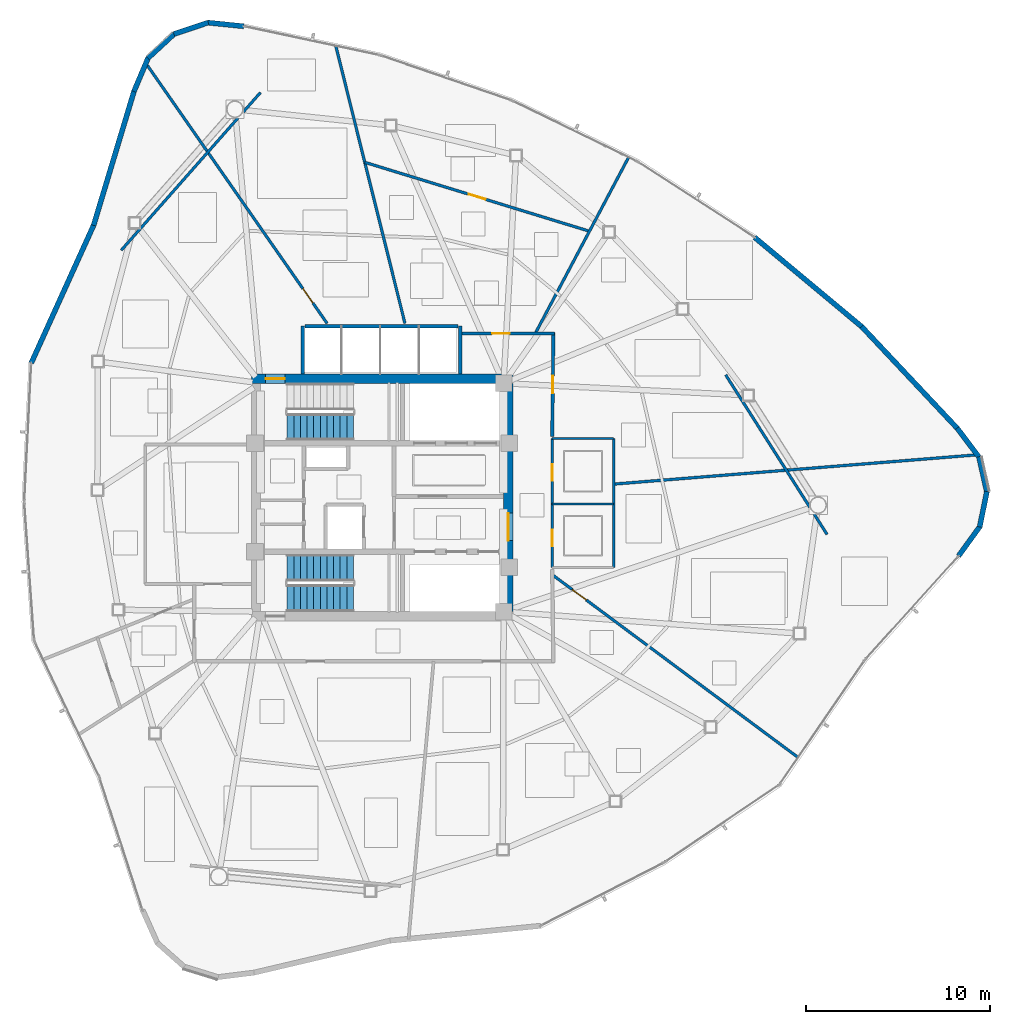
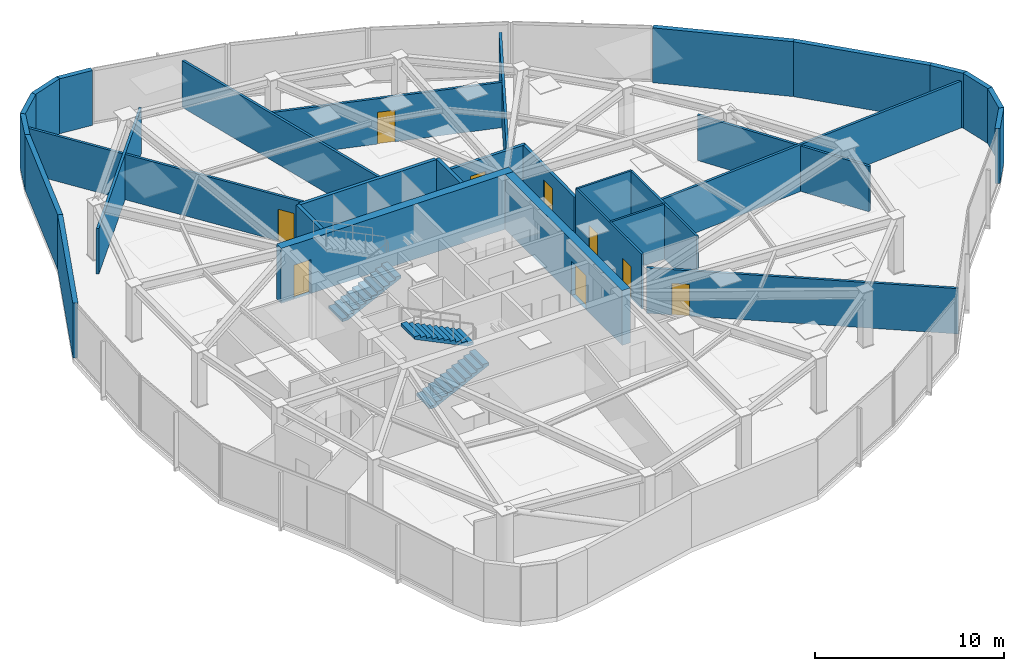
# One storey, part 12 of 17: 31 walls, 9 doors, 3 stair flights, 9 openings, 2 elements without a shape of their own.
"""IFC4 building model written with IfcOpenShell, lengths in metres."""

from ifc_helpers import new_model, si_unit, direction, frame, frame_2d, origin, place, context, subcontext, project, spatial, polyline, rectangle, outline, extrude, material, layer, layer_set, type_object, element, fill, aggregate, save


model = new_model("IFC4")

# Units and contexts
model_context = context("Model", 3, precision=1e-05, world=origin(), true_north=direction((0.0, 1.0)))
body_context = subcontext(model_context, "Body", "Model", "MODEL_VIEW")
ifc_project = project(units=[si_unit("LENGTHUNIT", "METRE"), si_unit("AREAUNIT", "SQUARE_METRE"), si_unit("VOLUMEUNIT", "CUBIC_METRE"), si_unit("PLANEANGLEUNIT", "RADIAN"), si_unit("MASSUNIT", "GRAM", prefix="KILO")], contexts=[model_context])

# Site, building, storey
site_placement = place(None, origin())
site = spatial("IfcSite", under=ifc_project, at=site_placement, CompositionType="ELEMENT")
building_placement = place(site_placement, origin())
building = spatial("IfcBuilding", under=site, at=building_placement, Name="Tavelor Broadcast Tower", CompositionType="ELEMENT")
storey_placement = place(building_placement, frame((0.0, 0.0, 161.800048828125)))
storey = spatial("IfcBuildingStorey", under=building, at=storey_placement, Name="L38", CompositionType="ELEMENT", Elevation=161.800048828125)

# Wall, opening, door
ifc_material_1 = material(Name="Concrete C50/60", Category="concrete")
ifc_layer_1 = layer(ifc_material_1, 0.5)
ifc_layer_set_1 = layer_set([ifc_layer_1], Name="Concrete C50/60")
wall_type_1 = type_object("IfcWallType", Name="Core Shear Wall 500 mm", PredefinedType="SHEAR", material=ifc_layer_set_1)
wall_1_placement = place(storey_placement, frame((42.89990234375, 51.449951171875, 0.0), z_axis=(0.0, 0.0, 1.0), x_axis=(1.0, 0.0, 0.0)))
wall_1 = element("IfcWall", 1, at=wall_1_placement, inside=storey, type_object=wall_type_1, Name="L38 Central Core Shear Wall N", PredefinedType="SHEAR", context=body_context, shape_type="SweptSolid", body=[
    extrude(rectangle(XDim=14.2001953125, YDim=0.5, at=frame_2d((7.10009765625, 0.0))), origin(), (0.0, 0.0, 1.0), 3.550048828125),
])
opening_1_placement = place(wall_1_placement, frame((0.780029296875, 0.0, 0.0)))
opening_1 = element("IfcOpeningElement", 2, at=opening_1_placement, cuts=wall_1, Name="Opening DR11", PredefinedType="OPENING", context=body_context, shape_type="SweptSolid", body=[
    extrude(rectangle(XDim=1.050048828125, YDim=2.199951171875, at=frame_2d((0.52490234375, 1.10009765625))), frame((0.0, 0.260009765625, 0.0), z_axis=(0.0, -1.0, 0.0), x_axis=(1.0, 0.0, 0.0)), (0.0, 0.0, 1.0), 0.52001953125),
])
ifc_material_2 = material(Name="Steel S355", Category="steel")
door_type_1 = type_object("IfcDoorType", Name="Stair Core Fire Escape Door 1050x2200", OperationType="NOTDEFINED", PredefinedType="DOOR", material=ifc_material_2)
door_1_placement = place(opening_1_placement, origin())
door_1 = element("IfcDoor", 3, at=door_1_placement, inside=storey, type_object=door_type_1, Name="L38 Stair ST1 Protected Exit Door", OperationType="SINGLE_SWING_LEFT", OverallHeight=2.199951171875, OverallWidth=1.050048828125, PredefinedType="DOOR", context=body_context, shape_type="SweptSolid", body=[
    extrude(rectangle(XDim=1.050048828125, YDim=2.199951171875, at=frame_2d((0.52490234375, 1.10009765625))), frame((0.0, 0.02490234375, 0.0), z_axis=(0.0, -1.0, 0.0), x_axis=(1.0, 0.0, 0.0)), (0.0, 0.0, 1.0), 0.050048828125),
])
fill(opening_1, door_1)

wall_2_placement = place(storey_placement, frame((56.85009765625, 38.800048828125, 0.0), z_axis=(0.0, 0.0, 1.0), x_axis=(0.0, 1.0, 0.0)))
wall_2 = element("IfcWall", 4, at=wall_2_placement, inside=storey, type_object=wall_type_1, Name="L38 Central Core Shear Wall E", PredefinedType="SHEAR", context=body_context, shape_type="SweptSolid", body=[
    extrude(rectangle(XDim=12.39990234375, YDim=0.5, at=frame_2d((6.199951171875, 0.0))), origin(), (0.0, 0.0, 1.0), 3.550048828125),
])
opening_2_placement = place(wall_2_placement, frame((3.85009765625, 0.0, 0.0)))
opening_2 = element("IfcOpeningElement", 5, at=opening_2_placement, cuts=wall_2, Name="Opening DR14", PredefinedType="OPENING", context=body_context, shape_type="SweptSolid", body=[
    extrude(rectangle(XDim=1.5, YDim=2.199951171875, at=frame_2d((0.75, 1.10009765625))), frame((0.0, 0.260009765625, 0.0), z_axis=(0.0, -1.0, 0.0), x_axis=(1.0, 0.0, 0.0)), (0.0, 0.0, 1.0), 0.52001953125),
])
door_type_2 = type_object("IfcDoorType", Name="Firefighting Lobby Double Fire Door 1500x2200", OperationType="NOTDEFINED", PredefinedType="DOOR", material=ifc_material_2)
door_2_placement = place(opening_2_placement, origin())
door_2 = element("IfcDoor", 6, at=door_2_placement, inside=storey, type_object=door_type_2, Name="L38 Central Core Lobby Fire Door", OperationType="SINGLE_SWING_LEFT", OverallHeight=2.199951171875, OverallWidth=1.5, PredefinedType="DOOR", context=body_context, shape_type="SweptSolid", body=[
    extrude(rectangle(XDim=1.5, YDim=2.199951171875, at=frame_2d((0.75, 1.10009765625))), frame((0.0, 0.02490234375, 0.0), z_axis=(0.0, -1.0, 0.0), x_axis=(1.0, 0.0, 0.0)), (0.0, 0.0, 1.0), 0.050048828125),
])
fill(opening_2, door_2)

ifc_material_3 = material(Name="Calcium Silicate Fire Board 180 mm", Category="gypsum")
ifc_layer_2 = layer(ifc_material_3, 0.179931640625)
ifc_layer_set_2 = layer_set([ifc_layer_2], Name="Calcium Silicate Fire Board 180 mm")
wall_type_2 = type_object("IfcWallType", Name="Fire-Rated Corridor Partition Wall 180 mm", PredefinedType="PARTITIONING", material=ifc_layer_set_2)
wall_3_placement = place(storey_placement, frame((54.300048828125, 53.89990234375, 0.0), z_axis=(0.0, 0.0, 1.0), x_axis=(1.0, 0.0, 0.0)))
wall_3 = element("IfcWall", 7, at=wall_3_placement, inside=storey, type_object=wall_type_2, Name="L38 Corridor Compartment Wall 01", PredefinedType="PARTITIONING", context=body_context, shape_type="SweptSolid", body=[
    extrude(rectangle(XDim=5.050048828125, YDim=0.179931640625, at=frame_2d((2.52490234375, 0.0))), origin(), (0.0, 0.0, 1.0), 2.93505859375),
])
opening_3_placement = place(wall_3_placement, frame((1.67431640625, 0.0, 0.0)))
opening_3 = element("IfcOpeningElement", 8, at=opening_3_placement, cuts=wall_3, Name="Opening DR18", PredefinedType="OPENING", context=body_context, shape_type="SweptSolid", body=[
    extrude(rectangle(XDim=0.949951171875, YDim=2.050048828125, at=frame_2d((0.47509765625, 1.02490234375))), frame((0.0, 0.10009765625, 0.0), z_axis=(0.0, -1.0, 0.0), x_axis=(1.0, 0.0, 0.0)), (0.0, 0.0, 1.0), 0.199951171875),
])
ifc_material_4 = material(Name="Timber Solid Core Hardwood", Category="wood")
door_type_3 = type_object("IfcDoorType", Name="Corridor Rated Compartment Door 950x2050", OperationType="NOTDEFINED", PredefinedType="DOOR", material=ifc_material_4)
door_3_placement = place(opening_3_placement, origin())
door_3 = element("IfcDoor", 9, at=door_3_placement, inside=storey, type_object=door_type_3, Name="L38 Press Interview Room Door R7", OperationType="SINGLE_SWING_LEFT", OverallHeight=2.050048828125, OverallWidth=0.949951171875, PredefinedType="DOOR", context=body_context, shape_type="SweptSolid", body=[
    extrude(rectangle(XDim=0.949951171875, YDim=2.050048828125, at=frame_2d((0.47509765625, 1.02490234375))), frame((0.0, 0.02490234375, 0.0), z_axis=(0.0, -1.0, 0.0), x_axis=(1.0, 0.0, 0.0)), (0.0, 0.0, 1.0), 0.050048828125),
])
fill(opening_3, door_3)

wall_4_placement = place(storey_placement, frame((59.300537109375, 53.949951171875, 0.0), z_axis=(0.0, 0.0, 1.0), x_axis=(-0.010629422803, -0.99994350609, 0.0)))
wall_4 = element("IfcWall", 10, at=wall_4_placement, inside=storey, type_object=wall_type_2, Name="L38 Corridor Compartment Wall 02", PredefinedType="PARTITIONING", context=body_context, shape_type="SweptSolid", body=[
    extrude(rectangle(XDim=5.650146484375, YDim=0.179931640625, at=frame_2d((2.8251953125, 0.0))), origin(), (0.0, 0.0, 1.0), 2.93505859375),
])
opening_4_placement = place(wall_4_placement, frame((2.35009765625, 0.0, 0.0)))
opening_4 = element("IfcOpeningElement", 11, at=opening_4_placement, cuts=wall_4, Name="Opening DR18", PredefinedType="OPENING", context=body_context, shape_type="SweptSolid", body=[
    extrude(rectangle(XDim=0.949951171875, YDim=2.050048828125, at=frame_2d((0.47509765625, 1.02490234375))), frame((0.0, 0.10009765625, 0.0), z_axis=(0.0, -1.0, 0.0), x_axis=(1.0, 0.0, 0.0)), (0.0, 0.0, 1.0), 0.199951171875),
])
door_4_placement = place(opening_4_placement, origin())
door_4 = element("IfcDoor", 12, at=door_4_placement, inside=storey, type_object=door_type_3, Name="L38 Broadcast Concierge Desk Door R5", OperationType="SINGLE_SWING_RIGHT", OverallHeight=2.050048828125, OverallWidth=0.949951171875, PredefinedType="DOOR", context=body_context, shape_type="SweptSolid", body=[
    extrude(rectangle(XDim=0.949951171875, YDim=2.050048828125, at=frame_2d((0.47509765625, 1.02490234375))), frame((0.0, 0.02490234375, 0.0), z_axis=(0.0, -1.0, 0.0), x_axis=(1.0, 0.0, 0.0)), (0.0, 0.0, 1.0), 0.050048828125),
])
fill(opening_4, door_4)

# Walls
ifc_material_5 = material(Name="Precast Concrete C40/50", Category="concrete")
ifc_layer_3 = layer(ifc_material_5, 0.280029296875)
ifc_layer_set_3 = layer_set([ifc_layer_3], Name="Precast Concrete C40/50")
wall_type_3 = type_object("IfcWallType", Name="Insulated Precast Terracotta Facade Wall 280 mm", PredefinedType="STANDARD", material=ifc_layer_set_3)
wall_5_placement = place(storey_placement, frame((42.4990234375, 70.58154296875, 0.0), z_axis=(0.0, 0.0, 1.0), x_axis=(-0.994786905794, 0.101975546382, 0.0)))
element("IfcWall", 13, at=wall_5_placement, inside=storey, type_object=wall_type_3, Name="L38 Rounded Corner Structural Cladding Pier 01", PredefinedType="STANDARD", context=body_context, shape_type="SweptSolid", body=[
    extrude(rectangle(XDim=1.97509765625, YDim=0.280029296875, at=frame_2d((0.987548828125, 0.0))), origin(), (0.0, 0.0, 1.0), 3.550048828125),
])
wall_6_placement = place(storey_placement, frame((40.563232421875, 70.7861328125, 0.0), z_axis=(0.0, 0.0, 1.0), x_axis=(-0.948571334837, -0.316563457661, 0.0)))
element("IfcWall", 14, at=wall_6_placement, inside=storey, type_object=wall_type_3, Name="L38 Rounded Corner Structural Cladding Pier 02", PredefinedType="STANDARD", context=body_context, shape_type="SweptSolid", body=[
    extrude(rectangle(XDim=1.963623046875, YDim=0.280029296875, at=frame_2d((0.98193359375, 0.0))), origin(), (0.0, 0.0, 1.0), 3.550048828125),
])
wall_7_placement = place(storey_placement, frame((38.725830078125, 70.179443359375, 0.0), z_axis=(0.0, 0.0, 1.0), x_axis=(-0.734350414117, -0.678770557174, 0.0)))
element("IfcWall", 15, at=wall_7_placement, inside=storey, type_object=wall_type_3, Name="L38 Rounded Corner Structural Cladding Pier 03", PredefinedType="STANDARD", context=body_context, shape_type="SweptSolid", body=[
    extrude(rectangle(XDim=1.96337890625, YDim=0.280029296875, at=frame_2d((0.981689453125, 0.0))), origin(), (0.0, 0.0, 1.0), 3.550048828125),
])
wall_8_placement = place(storey_placement, frame((37.30078125, 68.87060546875, 0.0), z_axis=(0.0, 0.0, 1.0), x_axis=(-0.389924694158, -0.920846747774, 0.0)))
element("IfcWall", 16, at=wall_8_placement, inside=storey, type_object=wall_type_3, Name="L38 Rounded Corner Structural Cladding Pier 04", PredefinedType="STANDARD", context=body_context, shape_type="SweptSolid", body=[
    extrude(rectangle(XDim=1.986083984375, YDim=0.280029296875, at=frame_2d((0.9931640625, 0.0))), origin(), (0.0, 0.0, 1.0), 3.550048828125),
])
wall_9_placement = place(storey_placement, frame((36.53662109375, 67.06982421875, 0.0), z_axis=(0.0, 0.0, 1.0), x_axis=(-0.288646706332, -0.95743567874, 0.0)))
element("IfcWall", 17, at=wall_9_placement, inside=storey, type_object=wall_type_3, Name="L38 Rounded Corner Structural Cladding Pier 05", PredefinedType="STANDARD", context=body_context, shape_type="SweptSolid", body=[
    extrude(rectangle(XDim=7.620849609375, YDim=0.280029296875, at=frame_2d((3.810546875, 0.0))), origin(), (0.0, 0.0, 1.0), 3.550048828125),
])
wall_10_placement = place(storey_placement, frame((34.347412109375, 59.801513671875, 0.0), z_axis=(0.0, 0.0, 1.0), x_axis=(-0.412381746659, -0.911011138802, 0.0)))
element("IfcWall", 18, at=wall_10_placement, inside=storey, type_object=wall_type_3, Name="L38 Rounded Corner Structural Cladding Pier 06", PredefinedType="STANDARD", context=body_context, shape_type="SweptSolid", body=[
    extrude(rectangle(XDim=8.234375, YDim=0.280029296875, at=frame_2d((4.1171875, 0.0))), origin(), (0.0, 0.0, 1.0), 3.550048828125),
])
wall_11_placement = place(storey_placement, frame((81.3046875, 41.822998046875, 0.0), z_axis=(0.0, 0.0, 1.0), x_axis=(0.585765811542, 0.810480360051, 0.0)))
element("IfcWall", 19, at=wall_11_placement, inside=storey, type_object=wall_type_3, Name="L38 Rounded Corner Structural Cladding Pier 21", PredefinedType="STANDARD", context=body_context, shape_type="SweptSolid", body=[
    extrude(rectangle(XDim=1.97509765625, YDim=0.280029296875, at=frame_2d((0.987548828125, 0.0))), origin(), (0.0, 0.0, 1.0), 3.550048828125),
])
wall_12_placement = place(storey_placement, frame((82.44970703125, 43.397216796875, 0.0), z_axis=(0.0, 0.0, 1.0), x_axis=(0.200322996015, 0.979729910367, 0.0)))
element("IfcWall", 20, at=wall_12_placement, inside=storey, type_object=wall_type_3, Name="L38 Rounded Corner Structural Cladding Pier 22", PredefinedType="STANDARD", context=body_context, shape_type="SweptSolid", body=[
    extrude(rectangle(XDim=1.96337890625, YDim=0.280029296875, at=frame_2d((0.981689453125, 0.0))), origin(), (0.0, 0.0, 1.0), 3.550048828125),
])
wall_13_placement = place(storey_placement, frame((82.84326171875, 45.29150390625, 0.0), z_axis=(0.0, 0.0, 1.0), x_axis=(-0.220680608885, 0.975346127722, 0.0)))
element("IfcWall", 21, at=wall_13_placement, inside=storey, type_object=wall_type_3, Name="L38 Rounded Corner Structural Cladding Pier 23", PredefinedType="STANDARD", context=body_context, shape_type="SweptSolid", body=[
    extrude(rectangle(XDim=1.963623046875, YDim=0.280029296875, at=frame_2d((0.98193359375, 0.0))), origin(), (0.0, 0.0, 1.0), 3.550048828125),
])
wall_14_placement = place(storey_placement, frame((82.422119140625, 47.18017578125, 0.0), z_axis=(0.0, 0.0, 1.0), x_axis=(-0.602455667752, 0.798152346606, 0.0)))
element("IfcWall", 22, at=wall_14_placement, inside=storey, type_object=wall_type_3, Name="L38 Rounded Corner Structural Cladding Pier 24", PredefinedType="STANDARD", context=body_context, shape_type="SweptSolid", body=[
    extrude(rectangle(XDim=1.986083984375, YDim=0.280029296875, at=frame_2d((0.9931640625, 0.0))), origin(), (0.0, 0.0, 1.0), 3.550048828125),
])
wall_15_placement = place(storey_placement, frame((81.244873046875, 48.742431640625, 0.0), z_axis=(0.0, 0.0, 1.0), x_axis=(-0.684851704524, 0.728682470497, 0.0)))
element("IfcWall", 23, at=wall_15_placement, inside=storey, type_object=wall_type_3, Name="L38 Rounded Corner Structural Cladding Pier 25", PredefinedType="STANDARD", context=body_context, shape_type="SweptSolid", body=[
    extrude(rectangle(XDim=7.603271484375, YDim=0.280029296875, at=frame_2d((3.8017578125, 0.0))), origin(), (0.0, 0.0, 1.0), 3.550048828125),
])
wall_16_placement = place(storey_placement, frame((76.0595703125, 54.26220703125, 0.0), z_axis=(0.0, 0.0, 1.0), x_axis=(-0.767999798656, 0.640450083351, 0.0)))
element("IfcWall", 24, at=wall_16_placement, inside=storey, type_object=wall_type_3, Name="L38 Rounded Corner Structural Cladding Pier 26", PredefinedType="STANDARD", context=body_context, shape_type="SweptSolid", body=[
    extrude(rectangle(XDim=7.59130859375, YDim=0.280029296875, at=frame_2d((3.795654296875, 0.0))), origin(), (0.0, 0.0, 1.0), 3.550048828125),
])
ifc_material_6 = material(Name="Gypsum Acoustic Plasterboard 150 mm", Category="gypsum")
ifc_layer_4 = layer(ifc_material_6, 0.14990234375)
ifc_layer_set_4 = layer_set([ifc_layer_4], Name="Gypsum Acoustic Plasterboard 150 mm")
wall_type_4 = type_object("IfcWallType", Name="Interior Acoustic Partition Wall 150 mm", PredefinedType="PARTITIONING", material=ifc_layer_set_4)
wall_17_placement = place(storey_placement, frame((43.399658203125, 66.988525390625, 0.0), z_axis=(0.0, 0.0, 1.0), x_axis=(-0.661622343701, -0.749837231881, 0.0)))
element("IfcWall", 25, at=wall_17_placement, inside=storey, type_object=wall_type_4, Name="L38 Corner Tube Brace Furring Wall 1", PredefinedType="PARTITIONING", context=body_context, shape_type="SweptSolid", body=[
    extrude(rectangle(XDim=11.42724609375, YDim=0.14990234375, at=frame_2d((5.713623046875, 0.0))), origin(), (0.0, 0.0, 1.0), 2.93505859375),
])
wall_18_placement = place(storey_placement, frame((74.16259765625, 42.9931640625, 0.0), z_axis=(0.0, 0.0, 1.0), x_axis=(-0.53628142437, 0.844039237166, 0.0)))
element("IfcWall", 26, at=wall_18_placement, inside=storey, type_object=wall_type_4, Name="L38 Corner Tube Brace Furring Wall 3", PredefinedType="PARTITIONING", context=body_context, shape_type="SweptSolid", body=[
    extrude(rectangle(XDim=10.266845703125, YDim=0.14990234375, at=frame_2d((5.13330078125, 0.0))), origin(), (0.0, 0.0, 1.0), 2.93505859375),
])
wall_19_placement = place(storey_placement, frame((51.243896484375, 54.449951171875, 0.0), z_axis=(0.0, 0.0, 1.0), x_axis=(-0.241921992863, 0.970295702025, 0.0)))
element("IfcWall", 27, at=wall_19_placement, inside=storey, type_object=wall_type_4, Name="L38 Radial Compartment Wall 01", PredefinedType="PARTITIONING", context=body_context, shape_type="SweptSolid", body=[
    extrude(rectangle(XDim=15.541259765625, YDim=0.14990234375, at=frame_2d((7.7705078125, 0.0))), origin(), (0.0, 0.0, 1.0), 3.02490234375),
])

# Wall, opening, door
wall_20_placement = place(storey_placement, frame((47.0166015625, 54.449951171875, 0.0), z_axis=(0.0, 0.0, 1.0), x_axis=(-0.571606219405, 0.82052807992, 0.0)))
wall_20 = element("IfcWall", 28, at=wall_20_placement, inside=storey, type_object=wall_type_4, Name="L38 Radial Compartment Wall 02", PredefinedType="PARTITIONING", context=body_context, shape_type="SweptSolid", body=[
    extrude(rectangle(XDim=17.2275390625, YDim=0.14990234375, at=frame_2d((8.61376953125, 0.0))), origin(), (0.0, 0.0, 1.0), 2.93505859375),
])
opening_5_placement = place(wall_20_placement, frame((1.35009765625, 0.0, 0.0)))
opening_5 = element("IfcOpeningElement", 29, at=opening_5_placement, cuts=wall_20, Name="Opening DR18", PredefinedType="OPENING", context=body_context, shape_type="SweptSolid", body=[
    extrude(rectangle(XDim=0.949951171875, YDim=2.050048828125, at=frame_2d((0.47509765625, 1.02490234375))), frame((0.0, 0.0849609375, 0.0), z_axis=(0.0, -1.0, 0.0), x_axis=(1.0, 0.0, 0.0)), (0.0, 0.0, 1.0), 0.169921875),
])
door_5_placement = place(opening_5_placement, origin())
door_5 = element("IfcDoor", 30, at=door_5_placement, inside=storey, type_object=door_type_3, Name="L38 Suite Connecting Door 3", OperationType="SINGLE_SWING_RIGHT", OverallHeight=2.050048828125, OverallWidth=0.949951171875, PredefinedType="DOOR", context=body_context, shape_type="SweptSolid", body=[
    extrude(rectangle(XDim=0.949951171875, YDim=2.050048828125, at=frame_2d((0.47509765625, 1.02490234375))), frame((0.0, 0.02490234375, 0.0), z_axis=(0.0, -1.0, 0.0), x_axis=(1.0, 0.0, 0.0)), (0.0, 0.0, 1.0), 0.050048828125),
])
fill(opening_5, door_5)

wall_21_placement = place(storey_placement, frame((59.244140625, 40.80419921875, 0.0), z_axis=(0.0, 0.0, 1.0), x_axis=(0.802525033697, -0.596618446152, 0.0)))
wall_21 = element("IfcWall", 31, at=wall_21_placement, inside=storey, type_object=wall_type_4, Name="L38 Radial Compartment Wall 06", PredefinedType="PARTITIONING", context=body_context, shape_type="SweptSolid", body=[
    extrude(rectangle(XDim=16.637451171875, YDim=0.14990234375, at=frame_2d((8.31884765625, 0.0))), origin(), (0.0, 0.0, 1.0), 2.93505859375),
])
opening_6_placement = place(wall_21_placement, frame((1.35009765625, 0.0, 0.0)))
opening_6 = element("IfcOpeningElement", 32, at=opening_6_placement, cuts=wall_21, Name="Opening DR18", PredefinedType="OPENING", context=body_context, shape_type="SweptSolid", body=[
    extrude(rectangle(XDim=0.949951171875, YDim=2.050048828125, at=frame_2d((0.47509765625, 1.02490234375))), frame((0.0, 0.0849609375, 0.0), z_axis=(0.0, -1.0, 0.0), x_axis=(1.0, 0.0, 0.0)), (0.0, 0.0, 1.0), 0.169921875),
])
door_6_placement = place(opening_6_placement, origin())
door_6 = element("IfcDoor", 33, at=door_6_placement, inside=storey, type_object=door_type_3, Name="L38 Suite Connecting Door 6", OperationType="SINGLE_SWING_RIGHT", OverallHeight=2.050048828125, OverallWidth=0.949951171875, PredefinedType="DOOR", context=body_context, shape_type="SweptSolid", body=[
    extrude(rectangle(XDim=0.949951171875, YDim=2.050048828125, at=frame_2d((0.47509765625, 1.02490234375))), frame((0.0, 0.02490234375, 0.0), z_axis=(0.0, -1.0, 0.0), x_axis=(1.0, 0.0, 0.0)), (0.0, 0.0, 1.0), 0.050048828125),
])
fill(opening_6, door_6)

# Walls
wall_22_placement = place(storey_placement, frame((62.64990234375, 45.7294921875, 0.0), z_axis=(0.0, 0.0, 1.0), x_axis=(0.99676638327, 0.08035407384, 0.0)))
element("IfcWall", 34, at=wall_22_placement, inside=storey, type_object=wall_type_4, Name="L38 Radial Compartment Wall 07", PredefinedType="PARTITIONING", context=body_context, shape_type="SweptSolid", body=[
    extrude(rectangle(XDim=19.74609375, YDim=0.14990234375, at=frame_2d((9.873046875, 0.0))), origin(), (0.0, 0.0, 1.0), 3.02490234375),
])
wall_23_placement = place(storey_placement, frame((58.31689453125, 53.89990234375, 0.0), z_axis=(0.0, 0.0, 1.0), x_axis=(0.468253014178, 0.883594428861, 0.0)))
element("IfcWall", 35, at=wall_23_placement, inside=storey, type_object=wall_type_4, Name="L38 Radial Compartment Wall 08", PredefinedType="PARTITIONING", context=body_context, shape_type="SweptSolid", body=[
    extrude(rectangle(XDim=10.838623046875, YDim=0.14990234375, at=frame_2d((5.41943359375, 0.0))), origin(), (0.0, 0.0, 1.0), 2.93505859375),
])

# Wall, opening, door
wall_24_placement = place(storey_placement, frame((61.260498046875, 59.45458984375, 0.0), z_axis=(0.0, 0.0, 1.0), x_axis=(-0.956033107644, 0.293258754496, 0.0)))
wall_24 = element("IfcWall", 36, at=wall_24_placement, inside=storey, type_object=wall_type_4, Name="L38 Suite Chord Partition Wall 01", PredefinedType="PARTITIONING", context=body_context, shape_type="SweptSolid", body=[
    extrude(rectangle(XDim=12.75830078125, YDim=0.14990234375, at=frame_2d((6.379150390625, 0.0))), origin(), (0.0, 0.0, 1.0), 2.93505859375),
])
opening_7_placement = place(wall_24_placement, frame((5.904296875, 0.0, 0.0)))
opening_7 = element("IfcOpeningElement", 37, at=opening_7_placement, cuts=wall_24, Name="Opening DR23", PredefinedType="OPENING", context=body_context, shape_type="SweptSolid", body=[
    extrude(rectangle(XDim=0.949951171875, YDim=2.050048828125, at=frame_2d((0.47509765625, 1.02490234375))), frame((0.0, 0.0849609375, 0.0), z_axis=(0.0, -1.0, 0.0), x_axis=(1.0, 0.0, 0.0)), (0.0, 0.0, 1.0), 0.169921875),
])
door_type_4 = type_object("IfcDoorType", Name="Editorial Room Acoustic Door 950x2050", OperationType="NOTDEFINED", PredefinedType="DOOR", material=ifc_material_4)
door_7_placement = place(opening_7_placement, origin())
door_7 = element("IfcDoor", 38, at=door_7_placement, inside=storey, type_object=door_type_4, Name="L38 Outer Suite Partition Door 1", OperationType="SINGLE_SWING_LEFT", OverallHeight=2.050048828125, OverallWidth=0.949951171875, PredefinedType="DOOR", context=body_context, shape_type="SweptSolid", body=[
    extrude(rectangle(XDim=0.949951171875, YDim=2.050048828125, at=frame_2d((0.47509765625, 1.02490234375))), frame((0.0, 0.02490234375, 0.0), z_axis=(0.0, -1.0, 0.0), x_axis=(1.0, 0.0, 0.0)), (0.0, 0.0, 1.0), 0.050048828125),
])
fill(opening_7, door_7)

# Walls
ifc_material_7 = material(Name="Concrete Blockwork 200 mm", Category="masonry")
ifc_layer_5 = layer(ifc_material_7, 0.199951171875)
ifc_layer_set_5 = layer_set([ifc_layer_5], Name="Concrete Blockwork 200 mm")
wall_type_5 = type_object("IfcWallType", Name="Lift Hoistway Rated Front Wall 200 mm", PredefinedType="PARTITIONING", material=ifc_layer_set_5)
wall_25_placement = place(storey_placement, frame((45.820068359375, 54.300048828125, 0.0), z_axis=(0.0, 0.0, 1.0), x_axis=(1.0, 0.0, 0.0)))
element("IfcWall", 39, at=wall_25_placement, inside=storey, type_object=wall_type_5, Name="L38 High-Rise Lift Hoistway Front Wall", PredefinedType="PARTITIONING", context=body_context, shape_type="SweptSolid", body=[
    extrude(rectangle(XDim=8.309814453125, YDim=0.199951171875, at=frame_2d((4.15478515625, 0.0))), origin(), (0.0, 0.0, 1.0), 3.550048828125),
])
ifc_layer_6 = layer(ifc_material_7, 0.199951171875)
ifc_layer_set_6 = layer_set([ifc_layer_6], Name="Concrete Blockwork 200 mm")
wall_type_6 = type_object("IfcWallType", Name="Lift and Riser Shaft Enclosure Wall 200 mm", PredefinedType="PARTITIONING", material=ifc_layer_set_6)
for number, where, z_axis, x_axis, name in (
    (40, (45.699951171875, 51.699951171875, 0.0), (0.0, 0.0, 1.0), (0.0, 1.0, 0.0), "L38 High-Rise Lift Shaft West Wall"),
    (41, (54.25, 51.699951171875, 0.0), (0.0, 0.0, 1.0), (0.0, 1.0, 0.0), "L38 High-Rise Lift Shaft East Wall"),
):
    element("IfcWall", number, at=place(storey_placement, frame(where, z_axis=z_axis, x_axis=x_axis)), inside=storey, type_object=wall_type_6, Name=name, PredefinedType="PARTITIONING", context=body_context, shape_type="SweptSolid", body=[
        extrude(rectangle(XDim=2.60009765625, YDim=0.199951171875, at=frame_2d((1.300048828125, 0.0))), origin(), (0.0, 0.0, 1.0), 3.550048828125),
    ])

# Wall, openings, doors
ifc_material_8 = material(Name="Moisture-Resistant Plasterboard 120 mm", Category="gypsum")
ifc_layer_7 = layer(ifc_material_8, 0.1201171875)
ifc_layer_set_7 = layer_set([ifc_layer_7], Name="Moisture-Resistant Plasterboard 120 mm")
wall_type_7 = type_object("IfcWallType", Name="Moisture-Resistant Wet-Room Partition 120 mm", PredefinedType="PARTITIONING", material=ifc_layer_set_7)
wall_26_placement = place(storey_placement, frame((59.239990234375, 41.199951171875, 0.0), z_axis=(0.0, 0.0, 1.0), x_axis=(0.0, 1.0, 0.0)))
wall_26 = element("IfcWall", 42, at=wall_26_placement, inside=storey, type_object=wall_type_7, Name="L38 Floor Washrooms West Wall", PredefinedType="PARTITIONING", context=body_context, shape_type="SweptSolid", body=[
    extrude(rectangle(XDim=7.0, YDim=0.1201171875, at=frame_2d((3.5, 0.0))), origin(), (0.0, 0.0, 1.0), 3.550048828125),
])
opening_8_placement = place(wall_26_placement, frame((1.14990234375, 0.0, 0.0)))
opening_8 = element("IfcOpeningElement", 43, at=opening_8_placement, cuts=wall_26, Name="Opening DR32", PredefinedType="OPENING", context=body_context, shape_type="SweptSolid", body=[
    extrude(rectangle(XDim=0.89990234375, YDim=2.050048828125, at=frame_2d((0.449951171875, 1.02490234375))), frame((0.0, 0.070068359375, 0.0), z_axis=(0.0, -1.0, 0.0), x_axis=(1.0, 0.0, 0.0)), (0.0, 0.0, 1.0), 0.14013671875),
])
opening_9_placement = place(wall_26_placement, frame((4.699951171875, 0.0, 0.0)))
opening_9 = element("IfcOpeningElement", 44, at=opening_9_placement, cuts=wall_26, Name="Opening DR32", PredefinedType="OPENING", context=body_context, shape_type="SweptSolid", body=[
    extrude(rectangle(XDim=0.89990234375, YDim=2.050048828125, at=frame_2d((0.449951171875, 1.02490234375))), frame((0.0, 0.070068359375, 0.0), z_axis=(0.0, -1.0, 0.0), x_axis=(1.0, 0.0, 0.0)), (0.0, 0.0, 1.0), 0.14013671875),
])
door_type_5 = type_object("IfcDoorType", Name="Accessible Washroom Door 900x2050", OperationType="NOTDEFINED", PredefinedType="DOOR", material=ifc_material_4)
door_8_placement = place(opening_8_placement, origin())
door_8 = element("IfcDoor", 45, at=door_8_placement, inside=storey, type_object=door_type_5, Name="L38 Accessible WC Door", OperationType="SINGLE_SWING_LEFT", OverallHeight=2.050048828125, OverallWidth=0.89990234375, PredefinedType="DOOR", context=body_context, shape_type="SweptSolid", body=[
    extrude(rectangle(XDim=0.89990234375, YDim=2.050048828125, at=frame_2d((0.449951171875, 1.02490234375))), frame((0.0, 0.02490234375, 0.0), z_axis=(0.0, -1.0, 0.0), x_axis=(1.0, 0.0, 0.0)), (0.0, 0.0, 1.0), 0.050048828125),
])
fill(opening_8, door_8)
door_9_placement = place(opening_9_placement, origin())
door_9 = element("IfcDoor", 46, at=door_9_placement, inside=storey, type_object=door_type_5, Name="L38 Staff Washroom WC Door", OperationType="SINGLE_SWING_RIGHT", OverallHeight=2.050048828125, OverallWidth=0.89990234375, PredefinedType="DOOR", context=body_context, shape_type="SweptSolid", body=[
    extrude(rectangle(XDim=0.89990234375, YDim=2.050048828125, at=frame_2d((0.449951171875, 1.02490234375))), frame((0.0, 0.02490234375, 0.0), z_axis=(0.0, -1.0, 0.0), x_axis=(1.0, 0.0, 0.0)), (0.0, 0.0, 1.0), 0.050048828125),
])
fill(opening_9, door_9)

# Walls
for number, where, z_axis, x_axis, name in (
    (47, (59.239990234375, 44.64990234375, 0.0), (0.0, 0.0, 1.0), (1.0, 0.0, 0.0), "L38 Floor Washrooms Divider Wall"),
    (48, (59.239990234375, 48.199951171875, 0.0), (0.0, 0.0, 1.0), (1.0, 0.0, 0.0), "L38 Floor Washrooms North Wall"),
):
    element("IfcWall", number, at=place(storey_placement, frame(where, z_axis=z_axis, x_axis=x_axis)), inside=storey, type_object=wall_type_7, Name=name, PredefinedType="PARTITIONING", context=body_context, shape_type="SweptSolid", body=[
        extrude(rectangle(XDim=3.340087890625, YDim=0.1201171875, at=frame_2d((1.669921875, 0.0))), origin(), (0.0, 0.0, 1.0), 3.550048828125),
    ])
wall_27_placement = place(storey_placement, frame((62.580078125, 41.199951171875, 0.0), z_axis=(0.0, 0.0, 1.0), x_axis=(0.0, 1.0, 0.0)))
element("IfcWall", 49, at=wall_27_placement, inside=storey, type_object=wall_type_7, Name="L38 Floor Washrooms East Wall", PredefinedType="PARTITIONING", context=body_context, shape_type="SweptSolid", body=[
    extrude(rectangle(XDim=7.0, YDim=0.1201171875, at=frame_2d((3.5, 0.0))), origin(), (0.0, 0.0, 1.0), 3.550048828125),
])

# Stair, stair flight
ifc_material_9 = material(Name="Concrete C40/50", Category="concrete")
stair_type = type_object("IfcStairType", Name="Reinforced Concrete Protected Dogleg Stair 1450 mm", PredefinedType="HALF_TURN_STAIR", material=ifc_material_9)
stair_1_placement = place(storey_placement, origin())
stair_1 = element("IfcStair", 50, at=stair_1_placement, inside=storey, type_object=stair_type, Name="L38 Protected Core Exit Stair ST1", PredefinedType="HALF_TURN_STAIR")
stair_flight_type = type_object("IfcStairFlightType", Name="Reinforced Concrete Stair Flight 1450 mm", PredefinedType="STRAIGHT", material=ifc_material_9)
stair_flight_1_placement = place(storey_placement, frame((44.85009765625, 48.824951171875, 0.0), z_axis=(0.0, 0.0, 1.0), x_axis=(1.0, 0.0, 0.0)))
stair_flight_1 = element("IfcStairFlight", 51, at=stair_flight_1_placement, type_object=stair_flight_type, Name="ST1 flight 1", NumberOfRisers=11, NumberOfTreads=10, PredefinedType="STRAIGHT", RiserHeight=0.175, TreadLength=0.36, context=body_context, shape_type="SweptSolid", body=[
    extrude(outline(polyline([(0.0, 0.0), (0.0, 0.175048828125), (0.360107421875, 0.175048828125), (0.360107421875, 0.35009765625), (0.719970703125, 0.35009765625), (0.719970703125, 0.52490234375), (1.080078125, 0.52490234375), (1.080078125, 0.699951171875), (1.43994140625, 0.699951171875), (1.43994140625, 0.875), (1.800048828125, 0.875), (1.800048828125, 1.050048828125), (2.159912109375, 1.050048828125), (2.159912109375, 1.22509765625), (2.52001953125, 1.22509765625), (2.52001953125, 1.39990234375), (2.8798828125, 1.39990234375), (2.8798828125, 1.574951171875), (3.239990234375, 1.574951171875), (3.239990234375, 1.75), (3.60009765625, 1.75), (3.60009765625, 1.925048828125), (3.60009765625, 1.583251953125), (0.3427734375, 0.0), (0.0, 0.0)])), frame((0.0, 0.72509765625, 0.0), z_axis=(0.0, -1.0, 0.0), x_axis=(1.0, 0.0, 0.0)), (0.0, 0.0, 1.0), 1.449951171875),
])
aggregate(stair_1, [stair_flight_1])

# Stair, stair flights
stair_2_placement = place(storey_placement, origin())
stair_2 = element("IfcStair", 52, at=stair_2_placement, inside=storey, type_object=stair_type, Name="L38 Protected Core Exit Stair ST2", PredefinedType="HALF_TURN_STAIR")
stair_flight_2_placement = place(storey_placement, frame((44.85009765625, 39.52490234375, 0.0), z_axis=(0.0, 0.0, 1.0), x_axis=(1.0, 0.0, 0.0)))
stair_flight_2 = element("IfcStairFlight", 53, at=stair_flight_2_placement, type_object=stair_flight_type, Name="ST2 flight 1", NumberOfRisers=11, NumberOfTreads=10, PredefinedType="STRAIGHT", RiserHeight=0.175, TreadLength=0.36, context=body_context, shape_type="SweptSolid", body=[
    extrude(outline(polyline([(0.0, 0.0), (0.0, 0.175048828125), (0.360107421875, 0.175048828125), (0.360107421875, 0.35009765625), (0.719970703125, 0.35009765625), (0.719970703125, 0.52490234375), (1.080078125, 0.52490234375), (1.080078125, 0.699951171875), (1.43994140625, 0.699951171875), (1.43994140625, 0.875), (1.800048828125, 0.875), (1.800048828125, 1.050048828125), (2.159912109375, 1.050048828125), (2.159912109375, 1.22509765625), (2.52001953125, 1.22509765625), (2.52001953125, 1.39990234375), (2.8798828125, 1.39990234375), (2.8798828125, 1.574951171875), (3.239990234375, 1.574951171875), (3.239990234375, 1.75), (3.60009765625, 1.75), (3.60009765625, 1.925048828125), (3.60009765625, 1.583251953125), (0.3427734375, 0.0), (0.0, 0.0)])), frame((0.0, 0.72509765625, 0.0), z_axis=(0.0, -1.0, 0.0), x_axis=(1.0, 0.0, 0.0)), (0.0, 0.0, 1.0), 1.449951171875),
])
stair_flight_3_placement = place(storey_placement, frame((48.449951171875, 41.175048828125, 1.925048828125), z_axis=(0.0, 0.0, 1.0), x_axis=(-1.0, 0.0, 0.0)))
stair_flight_3 = element("IfcStairFlight", 54, at=stair_flight_3_placement, type_object=stair_flight_type, Name="ST2 flight 2", NumberOfRisers=11, NumberOfTreads=10, PredefinedType="STRAIGHT", RiserHeight=0.175, TreadLength=0.36, context=body_context, shape_type="SweptSolid", body=[
    extrude(outline(polyline([(0.0, 0.0), (0.0, 0.175048828125), (0.360107421875, 0.175048828125), (0.360107421875, 0.35009765625), (0.719970703125, 0.35009765625), (0.719970703125, 0.52490234375), (1.080078125, 0.52490234375), (1.080078125, 0.699951171875), (1.43994140625, 0.699951171875), (1.43994140625, 0.875), (1.800048828125, 0.875), (1.800048828125, 1.050048828125), (2.159912109375, 1.050048828125), (2.159912109375, 1.22509765625), (2.52001953125, 1.22509765625), (2.52001953125, 1.39990234375), (2.8798828125, 1.39990234375), (2.8798828125, 1.574951171875), (3.239990234375, 1.574951171875), (3.239990234375, 1.75), (3.60009765625, 1.75), (3.60009765625, 1.925048828125), (3.60009765625, 1.583251953125), (0.3427734375, 0.0), (0.0, 0.0)])), frame((0.0, 0.72509765625, 0.0), z_axis=(0.0, -1.0, 0.0), x_axis=(1.0, 0.0, 0.0)), (0.0, 0.0, 1.0), 1.449951171875),
])
aggregate(stair_2, [stair_flight_2, stair_flight_3])

save(model, "model.ifc")
